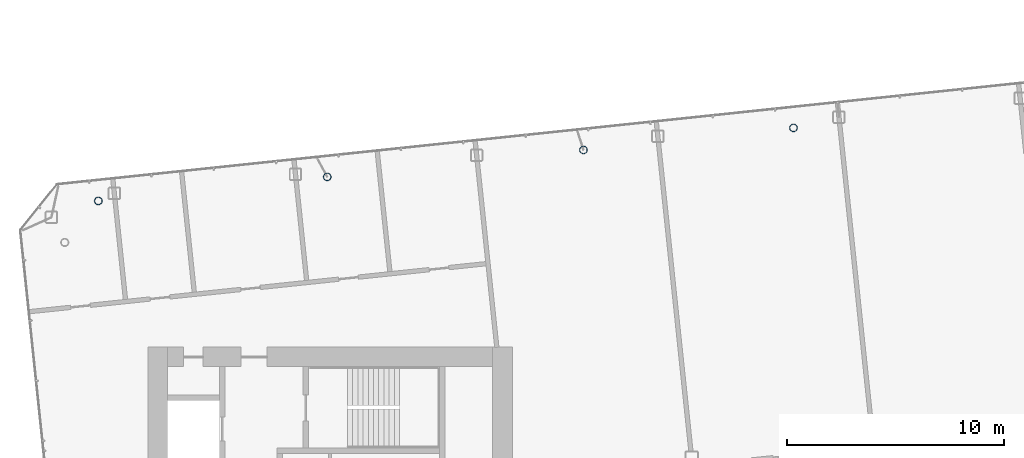
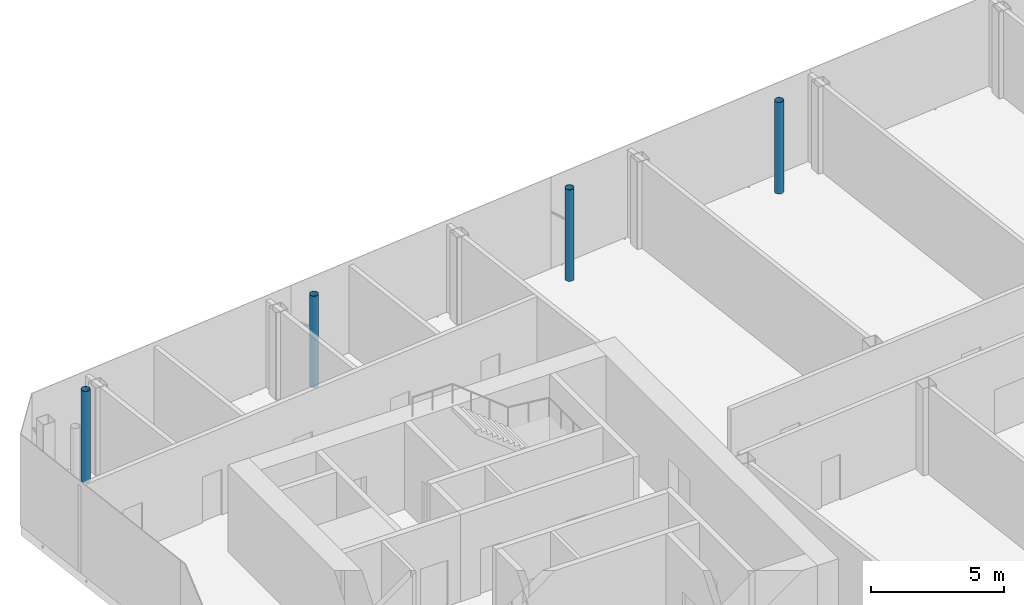
# One storey, part 5 of 28: 4 members.
"""IFC4 building model written with IfcOpenShell, lengths in metres."""

from ifc_helpers import new_model, si_unit, direction, frame, origin, origin_2d, place, context, subcontext, project, spatial, hollow_circle, extrude, material, material_profile, profile_set, type_object, element, save


model = new_model("IFC4")

# Units and contexts
model_context = context("Model", 3, precision=1e-05, world=origin(), true_north=direction((0.0, 1.0)))
body_context = subcontext(model_context, "Body", "Model", "MODEL_VIEW")
ifc_project = project(units=[si_unit("LENGTHUNIT", "METRE"), si_unit("AREAUNIT", "SQUARE_METRE"), si_unit("VOLUMEUNIT", "CUBIC_METRE"), si_unit("PLANEANGLEUNIT", "RADIAN"), si_unit("MASSUNIT", "GRAM", prefix="KILO")], contexts=[model_context])

# Site, building, storey
site_placement = place(None, origin())
site = spatial("IfcSite", under=ifc_project, at=site_placement, CompositionType="ELEMENT")
building_placement = place(site_placement, origin())
building = spatial("IfcBuilding", under=site, at=building_placement, Name="Hakoniwa Tower and Hamabe Station Hall", CompositionType="ELEMENT")
storey_placement = place(building_placement, frame((0.0, 0.0, 280.800048828125)))
storey = spatial("IfcBuildingStorey", under=building, at=storey_placement, Name="L78", CompositionType="ELEMENT", Elevation=280.800048828125)

# Members
ifc_material = material(Name="Steel STK490", Category="steel")
ifc_material_profile = material_profile(ifc_material, hollow_circle(Radius=0.177734375, WallThickness=0.0126953125, at=origin_2d()), Name="CHS-355.6x12.7")
ifc_profile_set = profile_set([ifc_material_profile], Name="Steel STK490")
member_type = type_object("IfcMemberType", Name="CROWN RIB CHS-355.6x12.7", PredefinedType="MEMBER", material=ifc_profile_set)
for number, where, z_axis, x_axis, name in (
    (1, (-3.832763671875, 18.51318359375, 0.0), (0.0, 0.0, 1.0), (1.0, 0.0, 0.0), "CROWN FRAME CRP-05"),
    (2, (-13.518310546875, 17.495361328125, 0.0), (0.0, 0.0, 1.0), (1.0, 0.0, 0.0), "CROWN FRAME CRP-06"),
    (3, (-25.329833984375, 16.25390625, 0.0), (0.0, 0.0, 1.0), (1.0, 0.0, 0.0), "CROWN FRAME CRP-07"),
    (4, (-35.888427734375, 15.14404296875, 0.0), (0.0, 0.0, 1.0), (1.0, 0.0, 0.0), "CROWN FRAME CRP-08"),
):
    element("IfcMember", number, at=place(storey_placement, frame(where, z_axis=z_axis, x_axis=x_axis)), inside=storey, type_object=member_type, Name=name, PredefinedType="MEMBER", context=body_context, shape_type="SweptSolid", body=[
        extrude(hollow_circle(Radius=0.177734375, WallThickness=0.0126953125, at=origin_2d()), origin(), (0.0, 0.0, 1.0), 4.199951171875),
    ])

save(model, "model.ifc")
